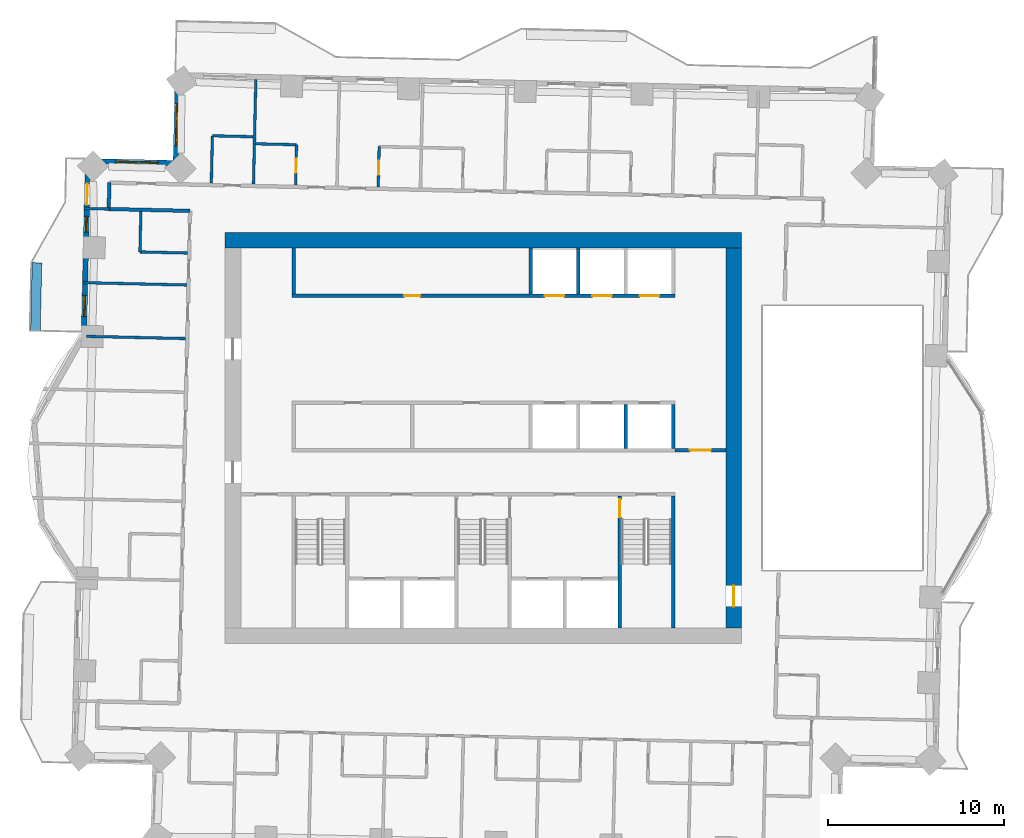
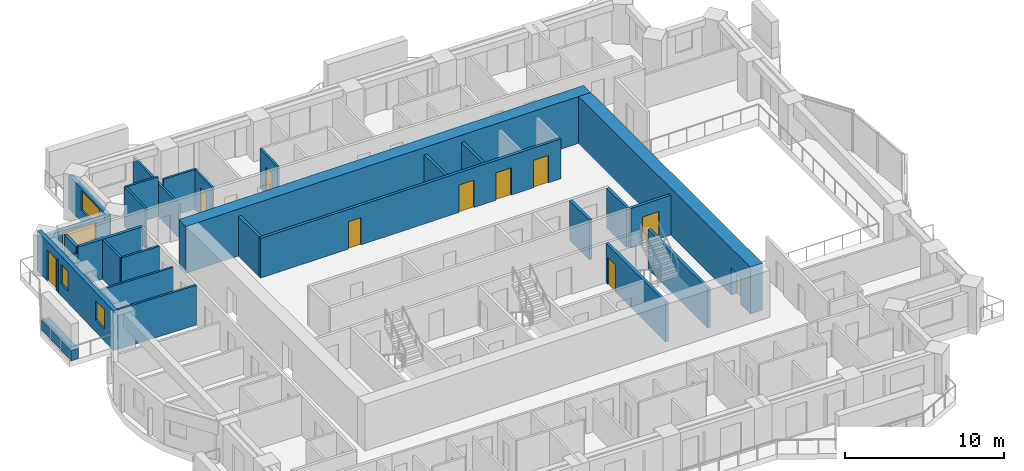
# One storey, part 8 of 14: 28 walls, 10 doors, 4 windows, 14 openings.
"""IFC4 building model written with IfcOpenShell, lengths in metres."""

from ifc_helpers import new_model, si_unit, direction, frame, frame_2d, origin, place, context, subcontext, project, spatial, rectangle, extrude, material, layer, layer_set, type_object, element, fill, save


model = new_model("IFC4")

# Units and contexts
model_context = context("Model", 3, precision=1e-05, world=origin(), true_north=direction((0.0, 1.0)))
body_context = subcontext(model_context, "Body", "Model", "MODEL_VIEW")
ifc_project = project(units=[si_unit("LENGTHUNIT", "METRE"), si_unit("AREAUNIT", "SQUARE_METRE"), si_unit("VOLUMEUNIT", "CUBIC_METRE"), si_unit("PLANEANGLEUNIT", "RADIAN"), si_unit("MASSUNIT", "GRAM", prefix="KILO")], contexts=[model_context])

# Site, building, storey
site_placement = place(None, origin())
site = spatial("IfcSite", under=ifc_project, at=site_placement, CompositionType="ELEMENT")
building_placement = place(site_placement, origin())
building = spatial("IfcBuilding", under=site, at=building_placement, Name="Mangrove Gate Tower", CompositionType="ELEMENT")
storey_placement = place(building_placement, frame((0.0, 0.0, 152.699951171875)))
storey = spatial("IfcBuildingStorey", under=building, at=storey_placement, Name="L38", CompositionType="ELEMENT", Elevation=152.699951171875)

# Wall, opening, door
ifc_material_1 = material(Name="Concrete C32/40", Category="concrete")
ifc_layer_1 = layer(ifc_material_1, 0.199951171875)
ifc_layer_set_1 = layer_set([ifc_layer_1], Name="Core lobby wall 200 C32/40")
wall_type_1 = type_object("IfcWallType", Name="Core lobby wall 200 C32/40", PredefinedType="STANDARD", material=ifc_layer_set_1)
wall_1_placement = place(storey_placement, frame((10.89990234375, -0.699951171875, 0.0), z_axis=(0.0, 0.0, 1.0), x_axis=(1.0, 0.0, 0.0)))
wall_1 = element("IfcWall", 1, at=wall_1_placement, inside=storey, type_object=wall_type_1, Name="WALL-L38-CORE-31", PredefinedType="STANDARD", context=body_context, shape_type="SweptSolid", body=[
    extrude(rectangle(XDim=2.900146484375, YDim=0.199951171875, at=frame_2d((1.4501953125, 0.0))), origin(), (0.0, 0.0, 1.0), 3.050048828125),
])
opening_1_placement = place(wall_1_placement, frame((0.85009765625, 0.0, 0.0)))
opening_1 = element("IfcOpeningElement", 2, at=opening_1_placement, cuts=wall_1, Name="Opening FL12", PredefinedType="OPENING", context=body_context, shape_type="SweptSolid", body=[
    extrude(rectangle(XDim=1.199951171875, YDim=2.10009765625, at=frame_2d((0.60009765625, 1.050048828125))), frame((0.0, 0.10986328125, 0.0), z_axis=(0.0, -1.0, 0.0), x_axis=(1.0, 0.0, 0.0)), (0.0, 0.0, 1.0), 0.219970703125),
])
ifc_material_2 = material(Name="Fire-rated steel door set", Category="steel")
door_type_1 = type_object("IfcDoorType", Name="Lobby door FD60 1200x2100", OperationType="SINGLE_SWING_LEFT", PredefinedType="DOOR", material=ifc_material_2)
door_1_placement = place(opening_1_placement, origin())
door_1 = element("IfcDoor", 3, at=door_1_placement, inside=storey, type_object=door_type_1, Name="Lobby door core corridor E partition", OperationType="SINGLE_SWING_LEFT", OverallHeight=2.10009765625, OverallWidth=1.199951171875, PredefinedType="DOOR", context=body_context, shape_type="SweptSolid", body=[
    extrude(rectangle(XDim=1.199951171875, YDim=2.10009765625, at=frame_2d((0.60009765625, 1.050048828125))), frame((0.0, 0.02490234375, 0.0), z_axis=(0.0, -1.0, 0.0), x_axis=(1.0, 0.0, 0.0)), (0.0, 0.0, 1.0), 0.050048828125),
])
fill(opening_1, door_1)

# Wall
ifc_material_3 = material(Name="Concrete C32/40", Category="concrete")
ifc_layer_2 = layer(ifc_material_3, 0.199951171875)
ifc_layer_set_2 = layer_set([ifc_layer_2], Name="Core room wall 200 C32/40")
wall_type_2 = type_object("IfcWallType", Name="Core room wall 200 C32/40", PredefinedType="STANDARD", material=ifc_layer_set_2)
wall_2_placement = place(storey_placement, frame((-10.800048828125, 8.199951171875, 0.0), z_axis=(0.0, 0.0, 1.0), x_axis=(0.0, 1.0, 0.0)))
element("IfcWall", 4, at=wall_2_placement, inside=storey, type_object=wall_type_2, Name="WALL-L38-CORE-25", PredefinedType="STANDARD", context=body_context, shape_type="SweptSolid", body=[
    extrude(rectangle(XDim=2.60009765625, YDim=0.199951171875, at=frame_2d((1.300048828125, 0.0))), origin(), (0.0, 0.0, 1.0), 3.050048828125),
])

# Wall, openings, doors
ifc_material_4 = material(Name="Concrete C60/75", Category="concrete")
ifc_layer_3 = layer(ifc_material_4, 0.199951171875)
ifc_layer_set_3 = layer_set([ifc_layer_3], Name="Core shaft wall 200 C60/75")
wall_type_3 = type_object("IfcWallType", Name="Core shaft wall 200 C60/75", PredefinedType="SHEAR", material=ifc_layer_set_3)
wall_3_placement = place(storey_placement, frame((-10.89990234375, 8.10009765625, 0.0), z_axis=(0.0, 0.0, 1.0), x_axis=(1.0, 0.0, 0.0)))
wall_3 = element("IfcWall", 5, at=wall_3_placement, inside=storey, type_object=wall_type_3, Name="WALL-L38-CORE-8", PredefinedType="SHEAR", context=body_context, shape_type="SweptSolid", body=[
    extrude(rectangle(XDim=21.7998046875, YDim=0.199951171875, at=frame_2d((10.89990234375, 0.0))), origin(), (0.0, 0.0, 1.0), 3.050048828125),
])
opening_2_placement = place(wall_3_placement, frame((14.39990234375, 0.0, 0.0)))
opening_2 = element("IfcOpeningElement", 6, at=opening_2_placement, cuts=wall_3, Name="Opening LD", PredefinedType="OPENING", context=body_context, shape_type="SweptSolid", body=[
    extrude(rectangle(XDim=1.10009765625, YDim=2.10009765625, at=frame_2d((0.550048828125, 1.050048828125))), frame((0.0, 0.10986328125, 0.0), z_axis=(0.0, -1.0, 0.0), x_axis=(1.0, 0.0, 0.0)), (0.0, 0.0, 1.0), 0.219970703125),
])
opening_3_placement = place(wall_3_placement, frame((17.10009765625, 0.0, 0.0)))
opening_3 = element("IfcOpeningElement", 7, at=opening_3_placement, cuts=wall_3, Name="Opening LD", PredefinedType="OPENING", context=body_context, shape_type="SweptSolid", body=[
    extrude(rectangle(XDim=1.10009765625, YDim=2.10009765625, at=frame_2d((0.550048828125, 1.050048828125))), frame((0.0, 0.10986328125, 0.0), z_axis=(0.0, -1.0, 0.0), x_axis=(1.0, 0.0, 0.0)), (0.0, 0.0, 1.0), 0.219970703125),
])
opening_4_placement = place(wall_3_placement, frame((19.800048828125, 0.0, 0.0)))
opening_4 = element("IfcOpeningElement", 8, at=opening_4_placement, cuts=wall_3, Name="Opening LD", PredefinedType="OPENING", context=body_context, shape_type="SweptSolid", body=[
    extrude(rectangle(XDim=1.10009765625, YDim=2.10009765625, at=frame_2d((0.550048828125, 1.050048828125))), frame((0.0, 0.10986328125, 0.0), z_axis=(0.0, -1.0, 0.0), x_axis=(1.0, 0.0, 0.0)), (0.0, 0.0, 1.0), 0.219970703125),
])
opening_5_placement = place(wall_3_placement, frame((6.39990234375, 0.0, 0.0)))
opening_5 = element("IfcOpeningElement", 9, at=opening_5_placement, cuts=wall_3, Name="Opening KD", PredefinedType="OPENING", context=body_context, shape_type="SweptSolid", body=[
    extrude(rectangle(XDim=0.89990234375, YDim=2.10009765625, at=frame_2d((0.449951171875, 1.050048828125))), frame((0.0, 0.10986328125, 0.0), z_axis=(0.0, -1.0, 0.0), x_axis=(1.0, 0.0, 0.0)), (0.0, 0.0, 1.0), 0.219970703125),
])
ifc_material_5 = material(Name="Fire-rated steel door set", Category="steel")
door_type_2 = type_object("IfcDoorType", Name="Core room door FD30S 900x2100", OperationType="SINGLE_SWING_RIGHT", PredefinedType="DOOR", material=ifc_material_5)
door_2_placement = place(opening_5_placement, origin())
door_2 = element("IfcDoor", 10, at=door_2_placement, inside=storey, type_object=door_type_2, Name="Core room door Refuse store", OperationType="SINGLE_SWING_RIGHT", OverallHeight=2.10009765625, OverallWidth=0.89990234375, PredefinedType="DOOR", context=body_context, shape_type="SweptSolid", body=[
    extrude(rectangle(XDim=0.89990234375, YDim=2.10009765625, at=frame_2d((0.449951171875, 1.050048828125))), frame((0.0, 0.02490234375, 0.0), z_axis=(0.0, -1.0, 0.0), x_axis=(1.0, 0.0, 0.0)), (0.0, 0.0, 1.0), 0.050048828125),
])
fill(opening_5, door_2)
ifc_material_6 = material(Name="Stainless steel 316", Category="steel")
door_type_3 = type_object("IfcDoorType", Name="Lift landing door 1100x2100", OperationType="SLIDING_TO_LEFT", PredefinedType="DOOR", material=ifc_material_6)
door_3_placement = place(opening_2_placement, origin())
door_3 = element("IfcDoor", 11, at=door_3_placement, inside=storey, type_object=door_type_3, Name="Landing door LD M04", OperationType="SLIDING_TO_LEFT", OverallHeight=2.10009765625, OverallWidth=1.10009765625, PredefinedType="DOOR", context=body_context, shape_type="SweptSolid", body=[
    extrude(rectangle(XDim=1.10009765625, YDim=2.10009765625, at=frame_2d((0.550048828125, 1.050048828125))), frame((0.0, 0.02490234375, 0.0), z_axis=(0.0, -1.0, 0.0), x_axis=(1.0, 0.0, 0.0)), (0.0, 0.0, 1.0), 0.050048828125),
])
fill(opening_2, door_3)
door_4_placement = place(opening_3_placement, origin())
door_4 = element("IfcDoor", 12, at=door_4_placement, inside=storey, type_object=door_type_3, Name="Landing door LD M05", OperationType="SLIDING_TO_LEFT", OverallHeight=2.10009765625, OverallWidth=1.10009765625, PredefinedType="DOOR", context=body_context, shape_type="SweptSolid", body=[
    extrude(rectangle(XDim=1.10009765625, YDim=2.10009765625, at=frame_2d((0.550048828125, 1.050048828125))), frame((0.0, 0.02490234375, 0.0), z_axis=(0.0, -1.0, 0.0), x_axis=(1.0, 0.0, 0.0)), (0.0, 0.0, 1.0), 0.050048828125),
])
fill(opening_3, door_4)
door_5_placement = place(opening_4_placement, origin())
door_5 = element("IfcDoor", 13, at=door_5_placement, inside=storey, type_object=door_type_3, Name="Landing door LD M06", OperationType="SLIDING_TO_LEFT", OverallHeight=2.10009765625, OverallWidth=1.10009765625, PredefinedType="DOOR", context=body_context, shape_type="SweptSolid", body=[
    extrude(rectangle(XDim=1.10009765625, YDim=2.10009765625, at=frame_2d((0.550048828125, 1.050048828125))), frame((0.0, 0.02490234375, 0.0), z_axis=(0.0, -1.0, 0.0), x_axis=(1.0, 0.0, 0.0)), (0.0, 0.0, 1.0), 0.050048828125),
])
fill(opening_4, door_5)

# Walls
for number, where, z_axis, x_axis, name in (
    (14, (8.10009765625, -0.60009765625, 0.0), (0.0, 0.0, 1.0), (0.0, 1.0, 0.0), "WALL-L38-CORE-23"),
    (15, (10.800048828125, -0.60009765625, 0.0), (0.0, 0.0, 1.0), (0.0, 1.0, 0.0), "WALL-L38-CORE-24"),
):
    element("IfcWall", number, at=place(storey_placement, frame(where, z_axis=z_axis, x_axis=x_axis)), inside=storey, type_object=wall_type_3, Name=name, PredefinedType="SHEAR", context=body_context, shape_type="SweptSolid", body=[
        extrude(rectangle(XDim=2.5, YDim=0.199951171875, at=frame_2d((1.25, 0.0))), origin(), (0.0, 0.0, 1.0), 3.050048828125),
    ])
for number, where, z_axis, x_axis, name in (
    (16, (2.699951171875, 8.199951171875, 0.0), (0.0, 0.0, 1.0), (0.0, 1.0, 0.0), "WALL-L38-CORE-26"),
    (17, (5.39990234375, 8.199951171875, 0.0), (0.0, 0.0, 1.0), (0.0, 1.0, 0.0), "WALL-L38-CORE-27"),
):
    element("IfcWall", number, at=place(storey_placement, frame(where, z_axis=z_axis, x_axis=x_axis)), inside=storey, type_object=wall_type_3, Name=name, PredefinedType="SHEAR", context=body_context, shape_type="SweptSolid", body=[
        extrude(rectangle(XDim=2.60009765625, YDim=0.199951171875, at=frame_2d((1.300048828125, 0.0))), origin(), (0.0, 0.0, 1.0), 3.050048828125),
    ])

# Wall, opening, door
ifc_material_7 = material(Name="Concrete C60/75", Category="concrete")
ifc_layer_4 = layer(ifc_material_7, 0.199951171875)
ifc_layer_set_4 = layer_set([ifc_layer_4], Name="Core stair wall 200 C60/75")
wall_type_4 = type_object("IfcWallType", Name="Core stair wall 200 C60/75", PredefinedType="SHEAR", material=ifc_layer_set_4)
wall_4_placement = place(storey_placement, frame((7.75, -10.800048828125, 0.0), z_axis=(0.0, 0.0, 1.0), x_axis=(0.0, 1.0, 0.0)))
wall_4 = element("IfcWall", 18, at=wall_4_placement, inside=storey, type_object=wall_type_4, Name="WALL-L38-CORE-13", PredefinedType="SHEAR", context=body_context, shape_type="SweptSolid", body=[
    extrude(rectangle(XDim=7.5, YDim=0.199951171875, at=frame_2d((3.75, 0.0))), origin(), (0.0, 0.0, 1.0), 3.050048828125),
])
opening_6_placement = place(wall_4_placement, frame((6.300048828125, 0.0, 0.0)))
opening_6 = element("IfcOpeningElement", 19, at=opening_6_placement, cuts=wall_4, Name="Opening STD10", PredefinedType="OPENING", context=body_context, shape_type="SweptSolid", body=[
    extrude(rectangle(XDim=1.0, YDim=2.10009765625, at=frame_2d((0.5, 1.050048828125))), frame((0.0, 0.10986328125, 0.0), z_axis=(0.0, -1.0, 0.0), x_axis=(1.0, 0.0, 0.0)), (0.0, 0.0, 1.0), 0.219970703125),
])
ifc_material_8 = material(Name="Fire-rated steel door set", Category="steel")
door_type_4 = type_object("IfcDoorType", Name="Stair door FD60 1000x2100", OperationType="SINGLE_SWING_RIGHT", PredefinedType="DOOR", material=ifc_material_8)
door_6_placement = place(opening_6_placement, origin())
door_6 = element("IfcDoor", 20, at=door_6_placement, inside=storey, type_object=door_type_4, Name="Stair door Stair 3 from fire-fighting lobby", OperationType="SINGLE_SWING_RIGHT", OverallHeight=2.10009765625, OverallWidth=1.0, PredefinedType="DOOR", context=body_context, shape_type="SweptSolid", body=[
    extrude(rectangle(XDim=1.0, YDim=2.10009765625, at=frame_2d((0.5, 1.050048828125))), frame((0.0, 0.02490234375, 0.0), z_axis=(0.0, -1.0, 0.0), x_axis=(1.0, 0.0, 0.0)), (0.0, 0.0, 1.0), 0.050048828125),
])
fill(opening_6, door_6)

# Walls
wall_5_placement = place(storey_placement, frame((10.800048828125, -10.800048828125, 0.0), z_axis=(0.0, 0.0, 1.0), x_axis=(0.0, 1.0, 0.0)))
element("IfcWall", 21, at=wall_5_placement, inside=storey, type_object=wall_type_4, Name="WALL-L38-CORE-14", PredefinedType="SHEAR", context=body_context, shape_type="SweptSolid", body=[
    extrude(rectangle(XDim=7.5, YDim=0.199951171875, at=frame_2d((3.75, 0.0))), origin(), (0.0, 0.0, 1.0), 3.050048828125),
])
ifc_material_9 = material(Name="Concrete C60/75", Category="concrete")
ifc_layer_5 = layer(ifc_material_9, 0.89990234375)
ifc_layer_set_5 = layer_set([ifc_layer_5], Name="Core wall 900 C60/75")
wall_type_5 = type_object("IfcWallType", Name="Core wall 900 C60/75", PredefinedType="SHEAR", material=ifc_layer_set_5)
wall_6_placement = place(storey_placement, frame((-14.699951171875, 11.25, 0.0), z_axis=(0.0, 0.0, 1.0), x_axis=(1.0, 0.0, 0.0)))
element("IfcWall", 22, at=wall_6_placement, inside=storey, type_object=wall_type_5, Name="WALL-L38-CORE-2", PredefinedType="SHEAR", context=body_context, shape_type="SweptSolid", body=[
    extrude(rectangle(XDim=29.39990234375, YDim=0.89990234375, at=frame_2d((14.699951171875, 0.0))), origin(), (0.0, 0.0, 1.0), 3.60009765625),
])

# Wall, opening, door
wall_7_placement = place(storey_placement, frame((14.25, -10.800048828125, 0.0), z_axis=(0.0, 0.0, 1.0), x_axis=(0.0, 1.0, 0.0)))
wall_7 = element("IfcWall", 23, at=wall_7_placement, inside=storey, type_object=wall_type_5, Name="WALL-L38-CORE-4", PredefinedType="SHEAR", context=body_context, shape_type="SweptSolid", body=[
    extrude(rectangle(XDim=21.60009765625, YDim=0.89990234375, at=frame_2d((10.800048828125, 0.0))), origin(), (0.0, 0.0, 1.0), 3.60009765625),
])
opening_7_placement = place(wall_7_placement, frame((1.199951171875, 0.0, 0.0)))
opening_7 = element("IfcOpeningElement", 24, at=opening_7_placement, cuts=wall_7, Name="Opening CD", PredefinedType="OPENING", context=body_context, shape_type="SweptSolid", body=[
    extrude(rectangle(XDim=1.199951171875, YDim=2.10009765625, at=frame_2d((0.60009765625, 1.050048828125))), frame((0.0, 0.4599609375, 0.0), z_axis=(0.0, -1.0, 0.0), x_axis=(1.0, 0.0, 0.0)), (0.0, 0.0, 1.0), 0.919921875),
])
ifc_material_10 = material(Name="Fire-rated steel door set", Category="steel")
door_type_5 = type_object("IfcDoorType", Name="Core ring door FD60 1200x2100", OperationType="DOUBLE_DOOR_SINGLE_SWING", PredefinedType="DOOR", material=ifc_material_10)
door_7_placement = place(opening_7_placement, origin())
door_7 = element("IfcDoor", 25, at=door_7_placement, inside=storey, type_object=door_type_5, Name="Core ring door E1", OperationType="DOUBLE_DOOR_SINGLE_SWING", OverallHeight=2.10009765625, OverallWidth=1.199951171875, PredefinedType="DOOR", context=body_context, shape_type="SweptSolid", body=[
    extrude(rectangle(XDim=1.199951171875, YDim=2.10009765625, at=frame_2d((0.60009765625, 1.050048828125))), frame((0.0, 0.02490234375, 0.0), z_axis=(0.0, -1.0, 0.0), x_axis=(1.0, 0.0, 0.0)), (0.0, 0.0, 1.0), 0.050048828125),
])
fill(opening_7, door_7)

# Walls
ifc_material_11 = material(Name="Gypsum board on steel stud, EI 60", Category="steel")
ifc_layer_6 = layer(ifc_material_11, 0.199951171875)
ifc_layer_set_6 = layer_set([ifc_layer_6], Name="Corridor wall EI 60")
wall_type_6 = type_object("IfcWallType", Name="Corridor wall EI 60", PredefinedType="PARTITIONING", material=ifc_layer_set_6)
wall_8_placement = place(storey_placement, frame((-21.31298828125, 13.02392578125, 0.0), z_axis=(0.0, 0.0, 1.0), x_axis=(0.999738699021, -0.022858995594, 0.0)))
element("IfcWall", 26, at=wall_8_placement, inside=storey, type_object=wall_type_6, Name="WALL-L38-052", PredefinedType="PARTITIONING", context=body_context, shape_type="SweptSolid", body=[
    extrude(rectangle(XDim=4.63525390625, YDim=0.199951171875, at=frame_2d((2.317626953125, 0.0))), origin(), (0.0, 0.0, 1.0), 3.050048828125),
])
wall_9_placement = place(storey_placement, frame((-21.31298828125, 13.02392578125, 0.0), z_axis=(0.0, 0.0, 1.0), x_axis=(0.022632637625, 0.99974384905, 0.0)))
element("IfcWall", 27, at=wall_9_placement, inside=storey, type_object=wall_type_6, Name="WALL-L38-053", PredefinedType="PARTITIONING", context=body_context, shape_type="SweptSolid", body=[
    extrude(rectangle(XDim=1.49951171875, YDim=0.199951171875, at=frame_2d((0.749755859375, 0.0))), origin(), (0.0, 0.0, 1.0), 3.050048828125),
])

# Wall, opening, window
ifc_material_12 = material(Name="Limestone", Category="masonry")
ifc_layer_7 = layer(ifc_material_12, 0.0400390625, Name="Limestone cladding")
ifc_material_13 = material(Name="Ventilated air gap")
ifc_layer_8 = layer(ifc_material_13, 0.0400390625, Name="Ventilated cavity")
ifc_material_14 = material(Name="Mineral wool insulation")
ifc_layer_9 = layer(ifc_material_14, 0.06005859375, Name="Insulation")
ifc_material_15 = material(Name="Breather membrane")
ifc_layer_10 = layer(ifc_material_15, 0.001953125, Name="Breather membrane")
ifc_material_16 = material(Name="Concrete C20/25 blockwork", Category="masonry")
ifc_layer_11 = layer(ifc_material_16, 0.14990234375, Name="Blockwork backing wall")
ifc_material_17 = material(Name="Gypsum plaster")
ifc_layer_12 = layer(ifc_material_17, 0.008056640625, Name="Internal plaster")
ifc_layer_set_7 = layer_set([ifc_layer_7, ifc_layer_8, ifc_layer_9, ifc_layer_10, ifc_layer_11, ifc_layer_12], Name="External wall 300 limestone cladding")
wall_type_7 = type_object("IfcWallType", Name="External wall 300 limestone cladding", PredefinedType="SOLIDWALL", material=ifc_layer_set_7)
wall_10_placement = place(storey_placement, frame((-17.388916015625, 20.636962890625, 0.0), z_axis=(0.0, 0.0, 1.0), x_axis=(-0.022801259434, -0.999740017489, 0.0)))
wall_10 = element("IfcWall", 28, at=wall_10_placement, inside=storey, type_object=wall_type_7, Name="WALL-L38-W6", PredefinedType="SOLIDWALL", context=body_context, shape_type="SweptSolid", body=[
    extrude(rectangle(XDim=5.000244140625, YDim=0.300048828125, at=frame_2d((2.5, 0.0))), origin(), (0.0, 0.0, 1.0), 2.550048828125),
])
opening_8_placement = place(wall_10_placement, frame((1.615966796875, 0.0, 0.89990234375)))
opening_8 = element("IfcOpeningElement", 29, at=opening_8_placement, cuts=wall_10, Name="Opening W2", PredefinedType="OPENING", context=body_context, shape_type="SweptSolid", body=[
    extrude(rectangle(XDim=2.39990234375, YDim=1.5, at=frame_2d((1.199951171875, 0.75))), frame((0.0, 0.159912109375, 0.0), z_axis=(0.0, -1.0, 0.0), x_axis=(1.0, 0.0, 0.0)), (0.0, 0.0, 1.0), 0.320068359375),
])
ifc_material_18 = material(Name="Aluminium frame with double-glazed low-e glass", Category="aluminium")
window_type_1 = type_object("IfcWindowType", Name="Corner room window 2400x1500", PartitioningType="DOUBLE_PANEL_VERTICAL", PredefinedType="WINDOW", material=ifc_material_18)
window_1_placement = place(opening_8_placement, origin())
window_1 = element("IfcWindow", 30, at=window_1_placement, inside=storey, type_object=window_type_1, Name="WIN-L38-W6-1", OverallHeight=1.5, OverallWidth=2.39990234375, PartitioningType="DOUBLE_PANEL_VERTICAL", PredefinedType="WINDOW", context=body_context, shape_type="SweptSolid", body=[
    extrude(rectangle(XDim=2.39990234375, YDim=1.5, at=frame_2d((1.199951171875, 0.75))), frame((0.0, 0.030029296875, 0.0), z_axis=(0.0, -1.0, 0.0), x_axis=(1.0, 0.0, 0.0)), (0.0, 0.0, 1.0), 0.06005859375),
])
fill(opening_8, window_1)

wall_11_placement = place(storey_placement, frame((-17.5029296875, 15.637939453125, 0.0), z_axis=(0.0, 0.0, 1.0), x_axis=(-0.999744350543, 0.022610474516, 0.0)))
wall_11 = element("IfcWall", 31, at=wall_11_placement, inside=storey, type_object=wall_type_7, Name="WALL-L38-N7", PredefinedType="SOLIDWALL", context=body_context, shape_type="SweptSolid", body=[
    extrude(rectangle(XDim=4.999267578125, YDim=0.300048828125, at=frame_2d((2.49951171875, 0.0))), origin(), (0.0, 0.0, 1.0), 2.550048828125),
])
opening_9_placement = place(wall_11_placement, frame((1.007080078125, 0.0, 0.89990234375)))
opening_9 = element("IfcOpeningElement", 32, at=opening_9_placement, cuts=wall_11, Name="Opening W2", PredefinedType="OPENING", context=body_context, shape_type="SweptSolid", body=[
    extrude(rectangle(XDim=2.39990234375, YDim=1.5, at=frame_2d((1.199951171875, 0.75))), frame((0.0, 0.159912109375, 0.0), z_axis=(0.0, -1.0, 0.0), x_axis=(1.0, 0.0, 0.0)), (0.0, 0.0, 1.0), 0.320068359375),
])
window_2_placement = place(opening_9_placement, origin())
window_2 = element("IfcWindow", 33, at=window_2_placement, inside=storey, type_object=window_type_1, Name="WIN-L38-N7-1", OverallHeight=1.5, OverallWidth=2.39990234375, PartitioningType="DOUBLE_PANEL_VERTICAL", PredefinedType="WINDOW", context=body_context, shape_type="SweptSolid", body=[
    extrude(rectangle(XDim=2.39990234375, YDim=1.5, at=frame_2d((1.199951171875, 0.75))), frame((0.0, 0.030029296875, 0.0), z_axis=(0.0, -1.0, 0.0), x_axis=(1.0, 0.0, 0.0)), (0.0, 0.0, 1.0), 0.06005859375),
])
fill(opening_9, window_2)

# Wall, openings, door, windows
wall_12_placement = place(storey_placement, frame((-22.5009765625, 15.7509765625, 0.0), z_axis=(0.0, 0.0, 1.0), x_axis=(-0.022737995473, -0.999741458359, 0.0)))
wall_12 = element("IfcWall", 34, at=wall_12_placement, inside=storey, type_object=wall_type_7, Name="WALL-L38-W8", PredefinedType="SOLIDWALL", context=body_context, shape_type="SweptSolid", body=[
    extrude(rectangle(XDim=10.028564453125, YDim=0.300048828125, at=frame_2d((5.01416015625, 0.0))), origin(), (0.0, 0.0, 1.0), 3.050048828125),
])
opening_10_placement = place(wall_12_placement, frame((1.287109375, 0.0, 0.0)))
opening_10 = element("IfcOpeningElement", 35, at=opening_10_placement, cuts=wall_12, Name="Opening BD2", PredefinedType="OPENING", context=body_context, shape_type="SweptSolid", body=[
    extrude(rectangle(XDim=1.199951171875, YDim=2.39990234375, at=frame_2d((0.60009765625, 1.199951171875))), frame((0.0, 0.159912109375, 0.0), z_axis=(0.0, -1.0, 0.0), x_axis=(1.0, 0.0, 0.0)), (0.0, 0.0, 1.0), 0.320068359375),
])
opening_11_placement = place(wall_12_placement, frame((3.14404296875, 0.0, 0.89990234375)))
opening_11 = element("IfcOpeningElement", 36, at=opening_11_placement, cuts=wall_12, Name="Opening W5", PredefinedType="OPENING", context=body_context, shape_type="SweptSolid", body=[
    extrude(rectangle(XDim=0.89990234375, YDim=1.5, at=frame_2d((0.449951171875, 0.75))), frame((0.0, 0.159912109375, 0.0), z_axis=(0.0, -1.0, 0.0), x_axis=(1.0, 0.0, 0.0)), (0.0, 0.0, 1.0), 0.320068359375),
])
opening_12_placement = place(wall_12_placement, frame((7.636962890625, 0.0, 0.89990234375)))
opening_12 = element("IfcOpeningElement", 37, at=opening_12_placement, cuts=wall_12, Name="Opening W1", PredefinedType="OPENING", context=body_context, shape_type="SweptSolid", body=[
    extrude(rectangle(XDim=1.199951171875, YDim=1.5, at=frame_2d((0.60009765625, 0.75))), frame((0.0, 0.159912109375, 0.0), z_axis=(0.0, -1.0, 0.0), x_axis=(1.0, 0.0, 0.0)), (0.0, 0.0, 1.0), 0.320068359375),
])
ifc_material_19 = material(Name="Aluminium frame with laminated clear glass", Category="aluminium")
door_type_6 = type_object("IfcDoorType", Name="Balcony sliding door 1200x2400", OperationType="SLIDING_TO_LEFT", PredefinedType="DOOR", material=ifc_material_19)
door_8_placement = place(opening_10_placement, origin())
door_8 = element("IfcDoor", 38, at=door_8_placement, inside=storey, type_object=door_type_6, Name="DOOR-L38-W8-1", OperationType="SLIDING_TO_LEFT", OverallHeight=2.39990234375, OverallWidth=1.199951171875, PredefinedType="DOOR", context=body_context, shape_type="SweptSolid", body=[
    extrude(rectangle(XDim=1.199951171875, YDim=2.39990234375, at=frame_2d((0.60009765625, 1.199951171875))), frame((0.0, 0.02490234375, 0.0), z_axis=(0.0, -1.0, 0.0), x_axis=(1.0, 0.0, 0.0)), (0.0, 0.0, 1.0), 0.050048828125),
])
fill(opening_10, door_8)
ifc_material_20 = material(Name="Aluminium frame with double-glazed low-e glass", Category="aluminium")
window_type_2 = type_object("IfcWindowType", Name="Narrow window 900x1500", PartitioningType="SINGLE_PANEL", PredefinedType="WINDOW", material=ifc_material_20)
window_3_placement = place(opening_11_placement, origin())
window_3 = element("IfcWindow", 39, at=window_3_placement, inside=storey, type_object=window_type_2, Name="WIN-L38-W8-2", OverallHeight=1.5, OverallWidth=0.89990234375, PartitioningType="SINGLE_PANEL", PredefinedType="WINDOW", context=body_context, shape_type="SweptSolid", body=[
    extrude(rectangle(XDim=0.89990234375, YDim=1.5, at=frame_2d((0.449951171875, 0.75))), frame((0.0, 0.030029296875, 0.0), z_axis=(0.0, -1.0, 0.0), x_axis=(1.0, 0.0, 0.0)), (0.0, 0.0, 1.0), 0.06005859375),
])
fill(opening_11, window_3)
ifc_material_21 = material(Name="Aluminium frame with double-glazed low-e glass", Category="aluminium")
window_type_3 = type_object("IfcWindowType", Name="Side lite 1200x1500", PartitioningType="SINGLE_PANEL", PredefinedType="WINDOW", material=ifc_material_21)
window_4_placement = place(opening_12_placement, origin())
window_4 = element("IfcWindow", 40, at=window_4_placement, inside=storey, type_object=window_type_3, Name="WIN-L38-W8-3", OverallHeight=1.5, OverallWidth=1.199951171875, PartitioningType="SINGLE_PANEL", PredefinedType="WINDOW", context=body_context, shape_type="SweptSolid", body=[
    extrude(rectangle(XDim=1.199951171875, YDim=1.5, at=frame_2d((0.60009765625, 0.75))), frame((0.0, 0.030029296875, 0.0), z_axis=(0.0, -1.0, 0.0), x_axis=(1.0, 0.0, 0.0)), (0.0, 0.0, 1.0), 0.06005859375),
])
fill(opening_12, window_4)

# Walls
ifc_material_22 = material(Name="Gypsum board on steel stud, EI 60", Category="steel")
ifc_layer_13 = layer(ifc_material_22, 0.14990234375)
ifc_layer_set_8 = layer_set([ifc_layer_13], Name="Party wall 150 EI 60")
wall_type_8 = type_object("IfcWallType", Name="Party wall 150 EI 60", PredefinedType="PARTITIONING", material=ifc_layer_set_8)
wall_13_placement = place(storey_placement, frame((-22.577880859375, 5.780029296875, 0.0), z_axis=(0.0, 0.0, 1.0), x_axis=(0.999746200787, -0.022528515532, 0.0)))
element("IfcWall", 41, at=wall_13_placement, inside=storey, type_object=wall_type_8, Name="WALL-L38-046", PredefinedType="PARTITIONING", context=body_context, shape_type="SweptSolid", body=[
    extrude(rectangle(XDim=5.63525390625, YDim=0.14990234375, at=frame_2d((2.817626953125, 0.0))), origin(), (0.0, 0.0, 1.0), 3.050048828125),
])
wall_14_placement = place(storey_placement, frame((-22.80810546875, 8.8359375, 0.0), z_axis=(0.0, 0.0, 1.0), x_axis=(0.999744927012, -0.022584970987, 0.0)))
element("IfcWall", 42, at=wall_14_placement, inside=storey, type_object=wall_type_8, Name="WALL-L38-047", PredefinedType="PARTITIONING", context=body_context, shape_type="SweptSolid", body=[
    extrude(rectangle(XDim=5.9345703125, YDim=0.14990234375, at=frame_2d((2.96728515625, 0.0))), origin(), (0.0, 0.0, 1.0), 2.550048828125),
])
wall_15_placement = place(storey_placement, frame((-19.5380859375, 10.5830078125, 0.0), z_axis=(0.0, 0.0, 1.0), x_axis=(0.022612884682, 0.999744296031, 0.0)))
element("IfcWall", 43, at=wall_15_placement, inside=storey, type_object=wall_type_8, Name="WALL-L38-049", PredefinedType="PARTITIONING", context=body_context, shape_type="SweptSolid", body=[
    extrude(rectangle(XDim=2.299560546875, YDim=0.14990234375, at=frame_2d((1.14990234375, 0.0))), origin(), (0.0, 0.0, 1.0), 3.050048828125),
])
wall_16_placement = place(storey_placement, frame((-19.532958984375, 10.5830078125, 0.0), z_axis=(0.0, 0.0, 1.0), x_axis=(0.999736155505, -0.022969966847, 0.0)))
element("IfcWall", 44, at=wall_16_placement, inside=storey, type_object=wall_type_8, Name="WALL-L38-050", PredefinedType="PARTITIONING", context=body_context, shape_type="SweptSolid", body=[
    extrude(rectangle(XDim=2.69970703125, YDim=0.14990234375, at=frame_2d((1.349853515625, 0.0))), origin(), (0.0, 0.0, 1.0), 3.050048828125),
])
wall_17_placement = place(storey_placement, frame((-22.712890625, 13.054931640625, 0.0), z_axis=(0.0, 0.0, 1.0), x_axis=(0.999756172383, -0.022081571112, 0.0)))
element("IfcWall", 45, at=wall_17_placement, inside=storey, type_object=wall_type_8, Name="WALL-L38-051", PredefinedType="PARTITIONING", context=body_context, shape_type="SweptSolid", body=[
    extrude(rectangle(XDim=1.404052734375, YDim=0.14990234375, at=frame_2d((0.7021484375, 0.0))), origin(), (0.0, 0.0, 1.0), 2.550048828125),
])
wall_18_placement = place(storey_placement, frame((-15.47802734375, 14.491943359375, 0.0), z_axis=(0.0, 0.0, 1.0), x_axis=(0.02260842146, 0.999744396973, 0.0)))
element("IfcWall", 46, at=wall_18_placement, inside=storey, type_object=wall_type_8, Name="WALL-L38-058", PredefinedType="PARTITIONING", context=body_context, shape_type="SweptSolid", body=[
    extrude(rectangle(XDim=2.69970703125, YDim=0.14990234375, at=frame_2d((1.349853515625, 0.0))), origin(), (0.0, 0.0, 1.0), 3.050048828125),
])
wall_19_placement = place(storey_placement, frame((-13.0791015625, 14.43701171875, 0.0), z_axis=(0.0, 0.0, 1.0), x_axis=(0.022688785847, 0.999742576365, 0.0)))
element("IfcWall", 47, at=wall_19_placement, inside=storey, type_object=wall_type_8, Name="WALL-L38-059", PredefinedType="PARTITIONING", context=body_context, shape_type="SweptSolid", body=[
    extrude(rectangle(XDim=5.950439453125, YDim=0.14990234375, at=frame_2d((2.97509765625, 0.0))), origin(), (0.0, 0.0, 1.0), 2.550048828125),
])

# Wall, opening, door
wall_20_placement = place(storey_placement, frame((-10.678955078125, 14.383056640625, 0.0), z_axis=(0.0, 0.0, 1.0), x_axis=(0.022615284993, 0.999744241736, 0.0)))
wall_20 = element("IfcWall", 48, at=wall_20_placement, inside=storey, type_object=wall_type_8, Name="WALL-L38-060", PredefinedType="PARTITIONING", context=body_context, shape_type="SweptSolid", body=[
    extrude(rectangle(XDim=2.29931640625, YDim=0.14990234375, at=frame_2d((1.149658203125, 0.0))), origin(), (0.0, 0.0, 1.0), 3.050048828125),
])
opening_13_placement = place(wall_20_placement, frame((0.699951171875, 0.0, 0.0)))
opening_13 = element("IfcOpeningElement", 49, at=opening_13_placement, cuts=wall_20, Name="Opening ED", PredefinedType="OPENING", context=body_context, shape_type="SweptSolid", body=[
    extrude(rectangle(XDim=0.800048828125, YDim=2.10009765625, at=frame_2d((0.39990234375, 1.050048828125))), frame((0.0, 0.0849609375, 0.0), z_axis=(0.0, -1.0, 0.0), x_axis=(1.0, 0.0, 0.0)), (0.0, 0.0, 1.0), 0.169921875),
])
ifc_material_23 = material(Name="Timber door leaf", Category="wood")
door_type_7 = type_object("IfcDoorType", Name="En-suite door 800", OperationType="SINGLE_SWING_LEFT", PredefinedType="DOOR", material=ifc_material_23)
door_9_placement = place(opening_13_placement, origin())
door_9 = element("IfcDoor", 50, at=door_9_placement, inside=storey, type_object=door_type_7, Name="DOOR-L38-ENS-c514", OperationType="SINGLE_SWING_RIGHT", OverallHeight=2.10009765625, OverallWidth=0.800048828125, PredefinedType="DOOR", context=body_context, shape_type="SweptSolid", body=[
    extrude(rectangle(XDim=0.800048828125, YDim=2.10009765625, at=frame_2d((0.39990234375, 1.050048828125))), frame((0.0, 0.02490234375, 0.0), z_axis=(0.0, -1.0, 0.0), x_axis=(1.0, 0.0, 0.0)), (0.0, 0.0, 1.0), 0.050048828125),
])
fill(opening_13, door_9)

wall_21_placement = place(storey_placement, frame((-5.98095703125, 14.27587890625, 0.0), z_axis=(0.0, 0.0, 1.0), x_axis=(0.023037316498, 0.999734605807, 0.0)))
wall_21 = element("IfcWall", 51, at=wall_21_placement, inside=storey, type_object=wall_type_8, Name="WALL-L38-062", PredefinedType="PARTITIONING", context=body_context, shape_type="SweptSolid", body=[
    extrude(rectangle(XDim=2.299560546875, YDim=0.14990234375, at=frame_2d((1.14990234375, 0.0))), origin(), (0.0, 0.0, 1.0), 3.050048828125),
])
opening_14_placement = place(wall_21_placement, frame((0.699951171875, 0.0, 0.0)))
opening_14 = element("IfcOpeningElement", 52, at=opening_14_placement, cuts=wall_21, Name="Opening ED", PredefinedType="OPENING", context=body_context, shape_type="SweptSolid", body=[
    extrude(rectangle(XDim=0.800048828125, YDim=2.10009765625, at=frame_2d((0.39990234375, 1.050048828125))), frame((0.0, 0.0849609375, 0.0), z_axis=(0.0, -1.0, 0.0), x_axis=(1.0, 0.0, 0.0)), (0.0, 0.0, 1.0), 0.169921875),
])
door_10_placement = place(opening_14_placement, origin())
door_10 = element("IfcDoor", 53, at=door_10_placement, inside=storey, type_object=door_type_7, Name="DOOR-L38-ENS-c513", OperationType="SINGLE_SWING_LEFT", OverallHeight=2.10009765625, OverallWidth=0.800048828125, PredefinedType="DOOR", context=body_context, shape_type="SweptSolid", body=[
    extrude(rectangle(XDim=0.800048828125, YDim=2.10009765625, at=frame_2d((0.39990234375, 1.050048828125))), frame((0.0, 0.02490234375, 0.0), z_axis=(0.0, -1.0, 0.0), x_axis=(1.0, 0.0, 0.0)), (0.0, 0.0, 1.0), 0.050048828125),
])
fill(opening_14, door_10)

# Walls
wall_22_placement = place(storey_placement, frame((-12.951904296875, 16.735107421875, 0.0), z_axis=(0.0, 0.0, 1.0), x_axis=(0.999738082346, -0.022885950011, 0.0)))
element("IfcWall", 54, at=wall_22_placement, inside=storey, type_object=wall_type_8, Name="WALL-L38-073", PredefinedType="PARTITIONING", context=body_context, shape_type="SweptSolid", body=[
    extrude(rectangle(XDim=2.325439453125, YDim=0.14990234375, at=frame_2d((1.16259765625, 0.0))), origin(), (0.0, 0.0, 1.0), 3.050048828125),
])
wall_23_placement = place(storey_placement, frame((-15.4169921875, 17.19091796875, 0.0), z_axis=(0.0, 0.0, 1.0), x_axis=(0.999740260747, -0.02279059109, 0.0)))
element("IfcWall", 55, at=wall_23_placement, inside=storey, type_object=wall_type_8, Name="WALL-L38-077", PredefinedType="PARTITIONING", context=body_context, shape_type="SweptSolid", body=[
    extrude(rectangle(XDim=2.324462890625, YDim=0.14990234375, at=frame_2d((1.162109375, 0.0))), origin(), (0.0, 0.0, 1.0), 3.050048828125),
])
ifc_material_24 = material(Name="Concrete C32/40", Category="concrete")
ifc_layer_14 = layer(ifc_material_24, 0.199951171875, Name="Planter trough wall")
ifc_material_25 = material(Name="Bituminous waterproofing membrane")
ifc_layer_15 = layer(ifc_material_25, 0.0048828125, Name="Waterproofing")
ifc_material_26 = material(Name="Drainage board and gravel")
ifc_layer_16 = layer(ifc_material_26, 0.044921875, Name="Drainage layer")
ifc_material_27 = material(Name="Planting soil")
ifc_layer_17 = layer(ifc_material_27, 0.300048828125, Name="Growing medium")
ifc_layer_set_9 = layer_set([ifc_layer_14, ifc_layer_15, ifc_layer_16, ifc_layer_17], Name="Planter wall 550 C32/40")
wall_type_9 = type_object("IfcWallType", Name="Planter wall 550 C32/40", PredefinedType="USERDEFINED", material=ifc_layer_set_9)
wall_24_placement = place(storey_placement, frame((-25.486083984375, 6.092041015625, 0.0), z_axis=(0.0, 0.0, 1.0), x_axis=(0.022744303924, 0.999741314861, 0.0)))
element("IfcWall", 56, at=wall_24_placement, inside=storey, type_object=wall_type_9, Name="PLANTER L38 W0.1", ObjectType="PLANTER", PredefinedType="USERDEFINED", context=body_context, shape_type="SweptSolid", body=[
    extrude(rectangle(XDim=3.875, YDim=0.550048828125, at=frame_2d((1.9375, 0.0))), origin(), (0.0, 0.0, 1.0), 0.800048828125),
])

save(model, "model.ifc")
